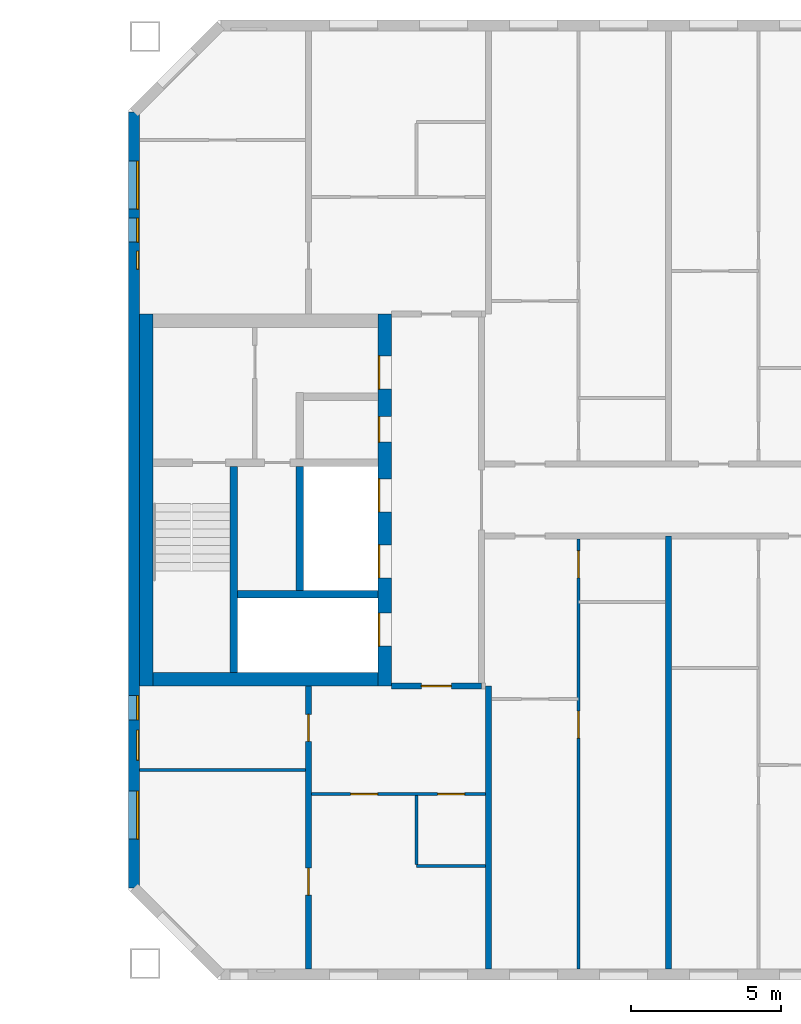
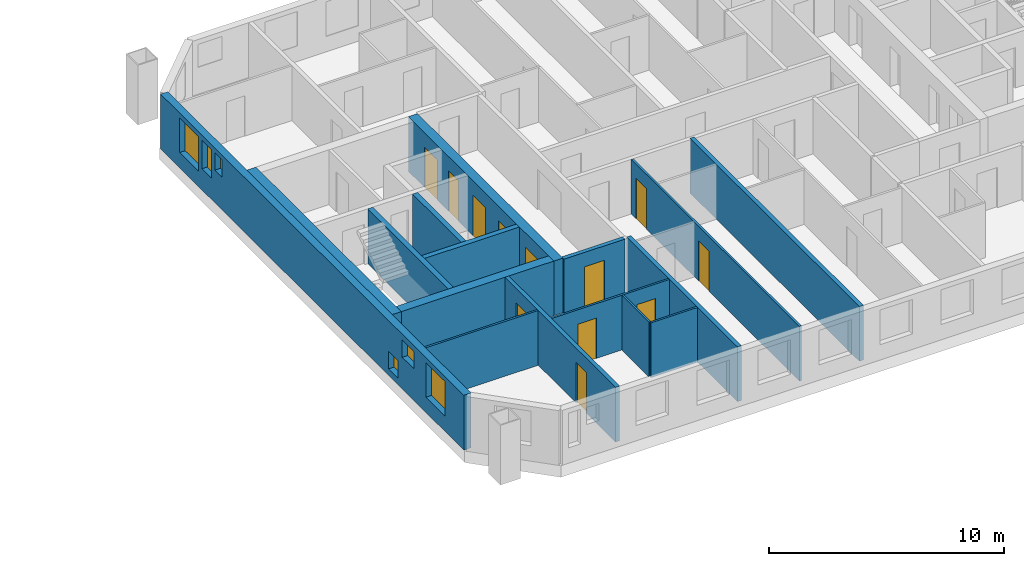
# One storey, part 9 of 16: 16 walls, 12 doors, 6 windows, 18 openings.
"""IFC4 building model written with IfcOpenShell, lengths in metres."""

from ifc_helpers import new_model, si_unit, direction, frame, frame_2d, origin, place, context, subcontext, project, spatial, rectangle, extrude, material, layer, layer_set, type_object, element, fill, save


model = new_model("IFC4")

# Units and contexts
model_context = context("Model", 3, precision=1e-05, world=origin(), true_north=direction((0.0, 1.0)))
body_context = subcontext(model_context, "Body", "Model", "MODEL_VIEW")
ifc_project = project(units=[si_unit("LENGTHUNIT", "METRE"), si_unit("AREAUNIT", "SQUARE_METRE"), si_unit("VOLUMEUNIT", "CUBIC_METRE"), si_unit("PLANEANGLEUNIT", "RADIAN"), si_unit("MASSUNIT", "GRAM", prefix="KILO")], contexts=[model_context])

# Site, building, storey
site_placement = place(None, origin())
site = spatial("IfcSite", under=ifc_project, at=site_placement, CompositionType="ELEMENT")
building_placement = place(site_placement, origin())
building = spatial("IfcBuilding", under=site, at=building_placement, Name="Tuart Gate Housing", CompositionType="ELEMENT")
storey_placement = place(building_placement, frame((0.0, 0.0, 175.800048828125)))
storey = spatial("IfcBuildingStorey", under=building, at=storey_placement, Name="L49", CompositionType="ELEMENT", Elevation=175.800048828125)

# Wall, openings, windows
ifc_material_1 = material(Name="Brick", Category="masonry")
ifc_layer_1 = layer(ifc_material_1, 0.360107421875)
ifc_layer_set_1 = layer_set([ifc_layer_1], Name="Brick pier and spandrel wall 360")
wall_type_1 = type_object("IfcWallType", Name="Brick pier and spandrel wall 360", PredefinedType="STANDARD", material=ifc_layer_set_1)
wall_1_placement = place(storey_placement, frame((131.179931640625, 82.92529296875, 0.0), z_axis=(0.0, 0.0, 1.0), x_axis=(0.0, -1.0, 0.0)))
wall_1 = element("IfcWall", 1, at=wall_1_placement, inside=storey, type_object=wall_type_1, Name="External wall B-W L49", PredefinedType="STANDARD", context=body_context, shape_type="SweptSolid", body=[
    extrude(rectangle(XDim=25.850830078125, YDim=0.360107421875, at=frame_2d((12.92529296875, 0.0))), origin(), (0.0, 0.0, 1.0), 2.849853515625),
])
opening_1_placement = place(wall_1_placement, frame((1.62548828125, 0.0, 0.800048828125)))
opening_1 = element("IfcOpeningElement", 2, at=opening_1_placement, cuts=wall_1, Name="Opening W1", PredefinedType="OPENING", context=body_context, shape_type="SweptSolid", body=[
    extrude(rectangle(XDim=1.60009765625, YDim=1.800048828125, at=frame_2d((0.800048828125, 0.89990234375))), frame((0.0, 0.18994140625, 0.0), z_axis=(0.0, -1.0, 0.0), x_axis=(1.0, 0.0, 0.0)), (0.0, 0.0, 1.0), 0.380126953125),
])
opening_2_placement = place(wall_1_placement, frame((3.525390625, 0.0, 1.10009765625)))
opening_2 = element("IfcOpeningElement", 3, at=opening_2_placement, cuts=wall_1, Name="Opening W1J", PredefinedType="OPENING", context=body_context, shape_type="SweptSolid", body=[
    extrude(rectangle(XDim=0.800048828125, YDim=1.5, at=frame_2d((0.39990234375, 0.75))), frame((0.0, 0.18994140625, 0.0), z_axis=(0.0, -1.0, 0.0), x_axis=(1.0, 0.0, 0.0)), (0.0, 0.0, 1.0), 0.380126953125),
])
opening_3_placement = place(wall_1_placement, frame((19.450439453125, 0.0, 0.35009765625)))
opening_3 = element("IfcOpeningElement", 4, at=opening_3_placement, cuts=wall_1, Name="Opening W1V", PredefinedType="OPENING", context=body_context, shape_type="SweptSolid", body=[
    extrude(rectangle(XDim=0.800048828125, YDim=0.89990234375, at=frame_2d((0.39990234375, 0.449951171875))), frame((0.0, 0.18994140625, 0.0), z_axis=(0.0, -1.0, 0.0), x_axis=(1.0, 0.0, 0.0)), (0.0, 0.0, 1.0), 0.380126953125),
])
opening_4_placement = place(wall_1_placement, frame((22.62548828125, 0.0, 0.800048828125)))
opening_4 = element("IfcOpeningElement", 5, at=opening_4_placement, cuts=wall_1, Name="Opening W1", PredefinedType="OPENING", context=body_context, shape_type="SweptSolid", body=[
    extrude(rectangle(XDim=1.60009765625, YDim=1.800048828125, at=frame_2d((0.800048828125, 0.89990234375))), frame((0.0, 0.18994140625, 0.0), z_axis=(0.0, -1.0, 0.0), x_axis=(1.0, 0.0, 0.0)), (0.0, 0.0, 1.0), 0.380126953125),
])
opening_5_placement = place(wall_1_placement, frame((4.62548828125, 0.0, 1.699951171875)))
opening_5 = element("IfcOpeningElement", 6, at=opening_5_placement, cuts=wall_1, Name="Opening W1W", PredefinedType="OPENING", context=body_context, shape_type="SweptSolid", body=[
    extrude(rectangle(XDim=0.60009765625, YDim=0.89990234375, at=frame_2d((0.300048828125, 0.449951171875))), frame((0.0, 0.18994140625, 0.0), z_axis=(0.0, -1.0, 0.0), x_axis=(1.0, 0.0, 0.0)), (0.0, 0.0, 1.0), 0.380126953125),
])
opening_6_placement = place(wall_1_placement, frame((20.600341796875, 0.0, 1.64990234375)))
opening_6 = element("IfcOpeningElement", 7, at=opening_6_placement, cuts=wall_1, Name="Opening W1U", PredefinedType="OPENING", context=body_context, shape_type="SweptSolid", body=[
    extrude(rectangle(XDim=1.0, YDim=0.89990234375, at=frame_2d((0.5, 0.449951171875))), frame((0.0, 0.18994140625, 0.0), z_axis=(0.0, -1.0, 0.0), x_axis=(1.0, 0.0, 0.0)), (0.0, 0.0, 1.0), 0.380126953125),
])
ifc_material_2 = material(Name="Aluminium frame with clear glass", Category="aluminium")
window_type_1 = type_object("IfcWindowType", Name="Punched window 1000 x 900", PartitioningType="SINGLE_PANEL", PredefinedType="WINDOW", material=ifc_material_2)
window_1_placement = place(opening_6_placement, origin())
window_1 = element("IfcWindow", 8, at=window_1_placement, inside=storey, type_object=window_type_1, Name="Window W1U", OverallHeight=0.89990234375, OverallWidth=1.0, PartitioningType="SINGLE_PANEL", PredefinedType="WINDOW", context=body_context, shape_type="SweptSolid", body=[
    extrude(rectangle(XDim=1.0, YDim=0.89990234375, at=frame_2d((0.5, 0.449951171875))), frame((0.0, 0.150146484375, 0.0), z_axis=(0.0, -1.0, 0.0), x_axis=(1.0, 0.0, 0.0)), (0.0, 0.0, 1.0), 0.06005859375),
])
fill(opening_6, window_1)
ifc_material_3 = material(Name="Aluminium frame with clear glass", Category="aluminium")
window_type_2 = type_object("IfcWindowType", Name="Punched window 1600 x 1800", PartitioningType="SINGLE_PANEL", PredefinedType="WINDOW", material=ifc_material_3)
window_2_placement = place(opening_1_placement, origin())
window_2 = element("IfcWindow", 9, at=window_2_placement, inside=storey, type_object=window_type_2, Name="Window W1", OverallHeight=1.800048828125, OverallWidth=1.60009765625, PartitioningType="SINGLE_PANEL", PredefinedType="WINDOW", context=body_context, shape_type="SweptSolid", body=[
    extrude(rectangle(XDim=1.60009765625, YDim=1.800048828125, at=frame_2d((0.800048828125, 0.89990234375))), frame((0.0, 0.150146484375, 0.0), z_axis=(0.0, -1.0, 0.0), x_axis=(1.0, 0.0, 0.0)), (0.0, 0.0, 1.0), 0.06005859375),
])
fill(opening_1, window_2)
window_3_placement = place(opening_4_placement, origin())
window_3 = element("IfcWindow", 10, at=window_3_placement, inside=storey, type_object=window_type_2, Name="Window W1", OverallHeight=1.800048828125, OverallWidth=1.60009765625, PartitioningType="SINGLE_PANEL", PredefinedType="WINDOW", context=body_context, shape_type="SweptSolid", body=[
    extrude(rectangle(XDim=1.60009765625, YDim=1.800048828125, at=frame_2d((0.800048828125, 0.89990234375))), frame((0.0, 0.150146484375, 0.0), z_axis=(0.0, -1.0, 0.0), x_axis=(1.0, 0.0, 0.0)), (0.0, 0.0, 1.0), 0.06005859375),
])
fill(opening_4, window_3)
ifc_material_4 = material(Name="Aluminium frame with clear glass", Category="aluminium")
window_type_3 = type_object("IfcWindowType", Name="Punched window 600 x 900", PartitioningType="SINGLE_PANEL", PredefinedType="WINDOW", material=ifc_material_4)
window_4_placement = place(opening_5_placement, origin())
window_4 = element("IfcWindow", 11, at=window_4_placement, inside=storey, type_object=window_type_3, Name="Window W1W", OverallHeight=0.89990234375, OverallWidth=0.60009765625, PartitioningType="SINGLE_PANEL", PredefinedType="WINDOW", context=body_context, shape_type="SweptSolid", body=[
    extrude(rectangle(XDim=0.60009765625, YDim=0.89990234375, at=frame_2d((0.300048828125, 0.449951171875))), frame((0.0, 0.150146484375, 0.0), z_axis=(0.0, -1.0, 0.0), x_axis=(1.0, 0.0, 0.0)), (0.0, 0.0, 1.0), 0.06005859375),
])
fill(opening_5, window_4)
ifc_material_5 = material(Name="Aluminium frame with clear glass", Category="aluminium")
window_type_4 = type_object("IfcWindowType", Name="Punched window 800 x 1500", PartitioningType="SINGLE_PANEL", PredefinedType="WINDOW", material=ifc_material_5)
window_5_placement = place(opening_2_placement, origin())
window_5 = element("IfcWindow", 12, at=window_5_placement, inside=storey, type_object=window_type_4, Name="Window W1J", OverallHeight=1.5, OverallWidth=0.800048828125, PartitioningType="SINGLE_PANEL", PredefinedType="WINDOW", context=body_context, shape_type="SweptSolid", body=[
    extrude(rectangle(XDim=0.800048828125, YDim=1.5, at=frame_2d((0.39990234375, 0.75))), frame((0.0, 0.150146484375, 0.0), z_axis=(0.0, -1.0, 0.0), x_axis=(1.0, 0.0, 0.0)), (0.0, 0.0, 1.0), 0.06005859375),
])
fill(opening_2, window_5)
ifc_material_6 = material(Name="Aluminium frame with clear glass", Category="aluminium")
window_type_5 = type_object("IfcWindowType", Name="Punched window 800 x 900", PartitioningType="SINGLE_PANEL", PredefinedType="WINDOW", material=ifc_material_6)
window_6_placement = place(opening_3_placement, origin())
window_6 = element("IfcWindow", 13, at=window_6_placement, inside=storey, type_object=window_type_5, Name="Window W1V", OverallHeight=0.89990234375, OverallWidth=0.800048828125, PartitioningType="SINGLE_PANEL", PredefinedType="WINDOW", context=body_context, shape_type="SweptSolid", body=[
    extrude(rectangle(XDim=0.800048828125, YDim=0.89990234375, at=frame_2d((0.39990234375, 0.449951171875))), frame((0.0, 0.150146484375, 0.0), z_axis=(0.0, -1.0, 0.0), x_axis=(1.0, 0.0, 0.0)), (0.0, 0.0, 1.0), 0.06005859375),
])
fill(opening_3, window_6)

# Walls
ifc_material_7 = material(Name="Concrete C40", Category="concrete")
ifc_layer_2 = layer(ifc_material_7, 0.25)
ifc_layer_set_2 = layer_set([ifc_layer_2], Name="Core wall 250 C40")
wall_type_2 = type_object("IfcWallType", Name="Core wall 250 C40", PredefinedType="SHEAR", material=ifc_layer_set_2)
wall_2_placement = place(storey_placement, frame((139.31005859375, 66.85009765625, 0.0), z_axis=(0.0, 0.0, 1.0), x_axis=(-1.0, 0.0, 0.0)))
element("IfcWall", 14, at=wall_2_placement, inside=storey, type_object=wall_type_2, Name="Core wall BG.1", PredefinedType="SHEAR", context=body_context, shape_type="SweptSolid", body=[
    extrude(rectangle(XDim=4.675048828125, YDim=0.25, at=frame_2d((2.33740234375, 0.0))), origin(), (0.0, 0.0, 1.0), 2.849853515625),
])
wall_3_placement = place(storey_placement, frame((136.7099609375, 66.97509765625, 0.0), z_axis=(0.0, 0.0, 1.0), x_axis=(0.0, 1.0, 0.0)))
element("IfcWall", 15, at=wall_3_placement, inside=storey, type_object=wall_type_2, Name="Core wall BG.4", PredefinedType="SHEAR", context=body_context, shape_type="SweptSolid", body=[
    extrude(rectangle(XDim=4.14990234375, YDim=0.25, at=frame_2d((2.074951171875, 0.0))), origin(), (0.0, 0.0, 1.0), 2.849853515625),
])
wall_4_placement = place(storey_placement, frame((134.510009765625, 64.25, 0.0), z_axis=(0.0, 0.0, 1.0), x_axis=(0.0, 1.0, 0.0)))
element("IfcWall", 16, at=wall_4_placement, inside=storey, type_object=wall_type_2, Name="Core wall BG.7", PredefinedType="SHEAR", context=body_context, shape_type="SweptSolid", body=[
    extrude(rectangle(XDim=6.875, YDim=0.25, at=frame_2d((3.4375, 0.0))), origin(), (0.0, 0.0, 1.0), 2.849853515625),
])

# Wall, openings, doors
ifc_material_8 = material(Name="Concrete C40", Category="concrete")
ifc_layer_3 = layer(ifc_material_8, 0.449951171875)
ifc_layer_set_3 = layer_set([ifc_layer_3], Name="Core wall 450 C40")
wall_type_3 = type_object("IfcWallType", Name="Core wall 450 C40", PredefinedType="SHEAR", material=ifc_layer_set_3)
wall_5_placement = place(storey_placement, frame((139.534912109375, 63.800048828125, 0.0), z_axis=(0.0, 0.0, 1.0), x_axis=(0.0, 1.0, 0.0)))
wall_5 = element("IfcWall", 17, at=wall_5_placement, inside=storey, type_object=wall_type_3, Name="Core wall BG front", PredefinedType="SHEAR", context=body_context, shape_type="SweptSolid", body=[
    extrude(rectangle(XDim=12.39990234375, YDim=0.449951171875, at=frame_2d((6.199951171875, 0.0))), origin(), (0.0, 0.0, 1.0), 2.849853515625),
])
opening_7_placement = place(wall_5_placement, frame((1.324951171875, 0.0, 0.0)))
opening_7 = element("IfcOpeningElement", 18, at=opening_7_placement, cuts=wall_5, Name="Opening LD-FB1", PredefinedType="OPENING", context=body_context, shape_type="SweptSolid", body=[
    extrude(rectangle(XDim=1.10009765625, YDim=2.10009765625, at=frame_2d((0.550048828125, 1.050048828125))), frame((0.0, 0.23486328125, 0.0), z_axis=(0.0, -1.0, 0.0), x_axis=(1.0, 0.0, 0.0)), (0.0, 0.0, 1.0), 0.469970703125),
])
opening_8_placement = place(wall_5_placement, frame((3.60009765625, 0.0, 0.0)))
opening_8 = element("IfcOpeningElement", 19, at=opening_8_placement, cuts=wall_5, Name="Opening LD-LB1", PredefinedType="OPENING", context=body_context, shape_type="SweptSolid", body=[
    extrude(rectangle(XDim=1.10009765625, YDim=2.10009765625, at=frame_2d((0.550048828125, 1.050048828125))), frame((0.0, 0.23486328125, 0.0), z_axis=(0.0, -1.0, 0.0), x_axis=(1.0, 0.0, 0.0)), (0.0, 0.0, 1.0), 0.469970703125),
])
opening_9_placement = place(wall_5_placement, frame((5.800048828125, 0.0, 0.0)))
opening_9 = element("IfcOpeningElement", 20, at=opening_9_placement, cuts=wall_5, Name="Opening LD-LB2", PredefinedType="OPENING", context=body_context, shape_type="SweptSolid", body=[
    extrude(rectangle(XDim=1.10009765625, YDim=2.10009765625, at=frame_2d((0.550048828125, 1.050048828125))), frame((0.0, 0.23486328125, 0.0), z_axis=(0.0, -1.0, 0.0), x_axis=(1.0, 0.0, 0.0)), (0.0, 0.0, 1.0), 0.469970703125),
])
opening_10_placement = place(wall_5_placement, frame((9.89990234375, 0.0, 0.0)))
opening_10 = element("IfcOpeningElement", 21, at=opening_10_placement, cuts=wall_5, Name="Opening D1813", PredefinedType="OPENING", context=body_context, shape_type="SweptSolid", body=[
    extrude(rectangle(XDim=1.10009765625, YDim=2.10009765625, at=frame_2d((0.550048828125, 1.050048828125))), frame((0.0, 0.23486328125, 0.0), z_axis=(0.0, -1.0, 0.0), x_axis=(1.0, 0.0, 0.0)), (0.0, 0.0, 1.0), 0.469970703125),
])
opening_11_placement = place(wall_5_placement, frame((8.125, 0.0, 0.0)))
opening_11 = element("IfcOpeningElement", 22, at=opening_11_placement, cuts=wall_5, Name="Opening D1814", PredefinedType="OPENING", context=body_context, shape_type="SweptSolid", body=[
    extrude(rectangle(XDim=0.85009765625, YDim=2.10009765625, at=frame_2d((0.425048828125, 1.050048828125))), frame((0.0, 0.23486328125, 0.0), z_axis=(0.0, -1.0, 0.0), x_axis=(1.0, 0.0, 0.0)), (0.0, 0.0, 1.0), 0.469970703125),
])
ifc_material_9 = material(Name="Stainless steel", Category="steel")
door_type_1 = type_object("IfcDoorType", Name="Landing door 1100 x 2100", OperationType="DOUBLE_DOOR_SLIDING", PredefinedType="DOOR", material=ifc_material_9)
door_1_placement = place(opening_7_placement, origin())
door_1 = element("IfcDoor", 23, at=door_1_placement, inside=storey, type_object=door_type_1, Name="Lift landing door FB1", OperationType="DOUBLE_DOOR_SLIDING", OverallHeight=2.10009765625, OverallWidth=1.10009765625, PredefinedType="DOOR", context=body_context, shape_type="SweptSolid", body=[
    extrude(rectangle(XDim=1.10009765625, YDim=2.10009765625, at=frame_2d((0.550048828125, 1.050048828125))), frame((0.0, 0.2099609375, 0.0), z_axis=(0.0, -1.0, 0.0), x_axis=(1.0, 0.0, 0.0)), (0.0, 0.0, 1.0), 0.050048828125),
])
fill(opening_7, door_1)
door_2_placement = place(opening_8_placement, origin())
door_2 = element("IfcDoor", 24, at=door_2_placement, inside=storey, type_object=door_type_1, Name="Lift landing door LB1", OperationType="DOUBLE_DOOR_SLIDING", OverallHeight=2.10009765625, OverallWidth=1.10009765625, PredefinedType="DOOR", context=body_context, shape_type="SweptSolid", body=[
    extrude(rectangle(XDim=1.10009765625, YDim=2.10009765625, at=frame_2d((0.550048828125, 1.050048828125))), frame((0.0, 0.2099609375, 0.0), z_axis=(0.0, -1.0, 0.0), x_axis=(1.0, 0.0, 0.0)), (0.0, 0.0, 1.0), 0.050048828125),
])
fill(opening_8, door_2)
door_3_placement = place(opening_9_placement, origin())
door_3 = element("IfcDoor", 25, at=door_3_placement, inside=storey, type_object=door_type_1, Name="Lift landing door LB2", OperationType="DOUBLE_DOOR_SLIDING", OverallHeight=2.10009765625, OverallWidth=1.10009765625, PredefinedType="DOOR", context=body_context, shape_type="SweptSolid", body=[
    extrude(rectangle(XDim=1.10009765625, YDim=2.10009765625, at=frame_2d((0.550048828125, 1.050048828125))), frame((0.0, 0.2099609375, 0.0), z_axis=(0.0, -1.0, 0.0), x_axis=(1.0, 0.0, 0.0)), (0.0, 0.0, 1.0), 0.050048828125),
])
fill(opening_9, door_3)
ifc_material_10 = material(Name="Steel fire door", Category="steel")
door_type_2 = type_object("IfcDoorType", Name="Lobby door 1100 x 2100", OperationType="SINGLE_SWING_LEFT", PredefinedType="DOOR", material=ifc_material_10)
door_4_placement = place(opening_10_placement, origin())
door_4 = element("IfcDoor", 26, at=door_4_placement, inside=storey, type_object=door_type_2, Name="Lobby entry door BG.EN", OperationType="SINGLE_SWING_LEFT", OverallHeight=2.10009765625, OverallWidth=1.10009765625, PredefinedType="DOOR", context=body_context, shape_type="SweptSolid", body=[
    extrude(rectangle(XDim=1.10009765625, YDim=2.10009765625, at=frame_2d((0.550048828125, 1.050048828125))), frame((0.0, 0.2099609375, 0.0), z_axis=(0.0, -1.0, 0.0), x_axis=(1.0, 0.0, 0.0)), (0.0, 0.0, 1.0), 0.050048828125),
])
fill(opening_10, door_4)
ifc_material_11 = material(Name="Steel fire door", Category="steel")
door_type_3 = type_object("IfcDoorType", Name="Service door 850 x 2100", OperationType="SINGLE_SWING_LEFT", PredefinedType="DOOR", material=ifc_material_11)
door_5_placement = place(opening_11_placement, origin())
door_5 = element("IfcDoor", 27, at=door_5_placement, inside=storey, type_object=door_type_3, Name="Service room door BG.T1", OperationType="SINGLE_SWING_LEFT", OverallHeight=2.10009765625, OverallWidth=0.85009765625, PredefinedType="DOOR", context=body_context, shape_type="SweptSolid", body=[
    extrude(rectangle(XDim=0.85009765625, YDim=2.10009765625, at=frame_2d((0.425048828125, 1.050048828125))), frame((0.0, 0.2099609375, 0.0), z_axis=(0.0, -1.0, 0.0), x_axis=(1.0, 0.0, 0.0)), (0.0, 0.0, 1.0), 0.050048828125),
])
fill(opening_11, door_5)

# Walls
wall_6_placement = place(storey_placement, frame((131.5849609375, 63.800048828125, 0.0), z_axis=(0.0, 0.0, 1.0), x_axis=(0.0, 1.0, 0.0)))
element("IfcWall", 28, at=wall_6_placement, inside=storey, type_object=wall_type_3, Name="Core wall BG back", PredefinedType="SHEAR", context=body_context, shape_type="SweptSolid", body=[
    extrude(rectangle(XDim=12.39990234375, YDim=0.449951171875, at=frame_2d((6.199951171875, 0.0))), origin(), (0.0, 0.0, 1.0), 2.849853515625),
])
wall_7_placement = place(storey_placement, frame((139.31005859375, 64.02490234375, 0.0), z_axis=(0.0, 0.0, 1.0), x_axis=(-1.0, 0.0, 0.0)))
element("IfcWall", 29, at=wall_7_placement, inside=storey, type_object=wall_type_3, Name="Core wall BG south", PredefinedType="SHEAR", context=body_context, shape_type="SweptSolid", body=[
    extrude(rectangle(XDim=7.5, YDim=0.449951171875, at=frame_2d((3.75, 0.0))), origin(), (0.0, 0.0, 1.0), 2.849853515625),
])

# Wall, opening, door
ifc_material_12 = material(Name="Concrete masonry 15 MPa", Category="masonry")
ifc_layer_4 = layer(ifc_material_12, 0.199951171875)
ifc_layer_set_4 = layer_set([ifc_layer_4], Name="Enclosure wall masonry 200")
wall_type_4 = type_object("IfcWallType", Name="Enclosure wall masonry 200", PredefinedType="PARTITIONING", material=ifc_layer_set_4)
wall_8_placement = place(storey_placement, frame((139.760009765625, 63.800048828125, 0.0), z_axis=(0.0, 0.0, 1.0), x_axis=(1.0, 0.0, 0.0)))
wall_8 = element("IfcWall", 30, at=wall_8_placement, inside=storey, type_object=wall_type_4, Name="Enclosure wall masonry 200", PredefinedType="PARTITIONING", context=body_context, shape_type="SweptSolid", body=[
    extrude(rectangle(XDim=3.0, YDim=0.199951171875, at=frame_2d((1.5, 0.0))), origin(), (0.0, 0.0, 1.0), 2.849853515625),
])
opening_12_placement = place(wall_8_placement, frame((1.0, 0.0, 0.0)))
opening_12 = element("IfcOpeningElement", 31, at=opening_12_placement, cuts=wall_8, Name="Opening D1824", PredefinedType="OPENING", context=body_context, shape_type="SweptSolid", body=[
    extrude(rectangle(XDim=1.0, YDim=2.10009765625, at=frame_2d((0.5, 1.050048828125))), frame((0.0, 0.10986328125, 0.0), z_axis=(0.0, -1.0, 0.0), x_axis=(1.0, 0.0, 0.0)), (0.0, 0.0, 1.0), 0.219970703125),
])
ifc_material_13 = material(Name="Timber door leaf in steel frame", Category="steel")
door_type_4 = type_object("IfcDoorType", Name="Flat entrance door 1000", OperationType="SINGLE_SWING_LEFT", PredefinedType="DOOR", material=ifc_material_13)
door_6_placement = place(opening_12_placement, frame((1.0, 0.0, 0.0), z_axis=(0.0, 0.0, 1.0), x_axis=(-1.0, 0.0, 0.0)))
door_6 = element("IfcDoor", 32, at=door_6_placement, inside=storey, type_object=door_type_4, Name="Flat entrance door", OperationType="SINGLE_SWING_LEFT", OverallHeight=2.10009765625, OverallWidth=1.0, PredefinedType="DOOR", context=body_context, shape_type="SweptSolid", body=[
    extrude(rectangle(XDim=1.0, YDim=2.10009765625, at=frame_2d((0.5, 1.050048828125))), frame((0.0, 0.025146484375, 0.0), z_axis=(0.0, -1.0, 0.0), x_axis=(1.0, 0.0, 0.0)), (0.0, 0.0, 1.0), 0.050048828125),
])
fill(opening_12, door_6)

# Wall
ifc_material_14 = material(Name="Gypsum board on steel studs", Category="steel")
ifc_layer_5 = layer(ifc_material_14, 0.10009765625)
ifc_layer_set_5 = layer_set([ifc_layer_5], Name="Partition 100")
wall_type_5 = type_object("IfcWallType", Name="Partition 100", PredefinedType="PARTITIONING", material=ifc_layer_set_5)
wall_9_placement = place(storey_placement, frame((140.60009765625, 57.800048828125, 0.0), z_axis=(0.0, 0.0, 1.0), x_axis=(1.0, 0.0, 0.0)))
element("IfcWall", 33, at=wall_9_placement, inside=storey, type_object=wall_type_5, Name="Partition 100", PredefinedType="PARTITIONING", context=body_context, shape_type="SweptSolid", body=[
    extrude(rectangle(XDim=2.2998046875, YDim=0.10009765625, at=frame_2d((1.14990234375, 0.0))), origin(), (0.0, 0.0, 1.0), 2.849853515625),
])

# Wall, openings, doors
wall_10_placement = place(storey_placement, frame((137.10009765625, 60.199951171875, 0.0), z_axis=(0.0, 0.0, 1.0), x_axis=(1.0, 0.0, 0.0)))
wall_10 = element("IfcWall", 34, at=wall_10_placement, inside=storey, type_object=wall_type_5, Name="Partition 100", PredefinedType="PARTITIONING", context=body_context, shape_type="SweptSolid", body=[
    extrude(rectangle(XDim=5.7998046875, YDim=0.10009765625, at=frame_2d((2.89990234375, 0.0))), origin(), (0.0, 0.0, 1.0), 2.849853515625),
])
opening_13_placement = place(wall_10_placement, frame((1.300048828125, 0.0, 0.0)))
opening_13 = element("IfcOpeningElement", 35, at=opening_13_placement, cuts=wall_10, Name="Opening D1835", PredefinedType="OPENING", context=body_context, shape_type="SweptSolid", body=[
    extrude(rectangle(XDim=0.89990234375, YDim=2.10009765625, at=frame_2d((0.449951171875, 1.050048828125))), frame((0.0, 0.06005859375, 0.0), z_axis=(0.0, -1.0, 0.0), x_axis=(1.0, 0.0, 0.0)), (0.0, 0.0, 1.0), 0.1201171875),
])
opening_14_placement = place(wall_10_placement, frame((4.199951171875, 0.0, 0.0)))
opening_14 = element("IfcOpeningElement", 36, at=opening_14_placement, cuts=wall_10, Name="Opening D1834", PredefinedType="OPENING", context=body_context, shape_type="SweptSolid", body=[
    extrude(rectangle(XDim=0.89990234375, YDim=2.10009765625, at=frame_2d((0.449951171875, 1.050048828125))), frame((0.0, 0.06005859375, 0.0), z_axis=(0.0, -1.0, 0.0), x_axis=(1.0, 0.0, 0.0)), (0.0, 0.0, 1.0), 0.1201171875),
])
ifc_material_15 = material(Name="Timber door leaf in steel frame", Category="steel")
door_type_5 = type_object("IfcDoorType", Name="Bathroom door 900 RH", OperationType="SINGLE_SWING_RIGHT", PredefinedType="DOOR", material=ifc_material_15)
door_7_placement = place(opening_14_placement, frame((0.89990234375, 0.0, 0.0), z_axis=(0.0, 0.0, 1.0), x_axis=(-1.0, 0.0, 0.0)))
door_7 = element("IfcDoor", 37, at=door_7_placement, inside=storey, type_object=door_type_5, Name="Bathroom door", OperationType="SINGLE_SWING_RIGHT", OverallHeight=2.10009765625, OverallWidth=0.89990234375, PredefinedType="DOOR", context=body_context, shape_type="SweptSolid", body=[
    extrude(rectangle(XDim=0.89990234375, YDim=2.10009765625, at=frame_2d((0.449951171875, 1.050048828125))), frame((0.0, 0.025146484375, 0.0), z_axis=(0.0, -1.0, 0.0), x_axis=(1.0, 0.0, 0.0)), (0.0, 0.0, 1.0), 0.050048828125),
])
fill(opening_14, door_7)
ifc_material_16 = material(Name="Timber door leaf in steel frame", Category="steel")
door_type_6 = type_object("IfcDoorType", Name="Internal door 900", OperationType="SINGLE_SWING_LEFT", PredefinedType="DOOR", material=ifc_material_16)
door_8_placement = place(opening_13_placement, origin())
door_8 = element("IfcDoor", 38, at=door_8_placement, inside=storey, type_object=door_type_6, Name="Internal door", OperationType="SINGLE_SWING_LEFT", OverallHeight=2.10009765625, OverallWidth=0.89990234375, PredefinedType="DOOR", context=body_context, shape_type="SweptSolid", body=[
    extrude(rectangle(XDim=0.89990234375, YDim=2.10009765625, at=frame_2d((0.449951171875, 1.050048828125))), frame((0.0, 0.02490234375, 0.0), z_axis=(0.0, -1.0, 0.0), x_axis=(1.0, 0.0, 0.0)), (0.0, 0.0, 1.0), 0.050048828125),
])
fill(opening_13, door_8)

# Walls
wall_11_placement = place(storey_placement, frame((131.360107421875, 61.0, 0.0), z_axis=(0.0, 0.0, 1.0), x_axis=(1.0, 0.0, 0.0)))
element("IfcWall", 39, at=wall_11_placement, inside=storey, type_object=wall_type_5, Name="Partition 100", PredefinedType="PARTITIONING", context=body_context, shape_type="SweptSolid", body=[
    extrude(rectangle(XDim=5.539794921875, YDim=0.10009765625, at=frame_2d((2.77001953125, 0.0))), origin(), (0.0, 0.0, 1.0), 2.849853515625),
])
wall_12_placement = place(storey_placement, frame((140.60009765625, 57.85009765625, 0.0), z_axis=(0.0, 0.0, 1.0), x_axis=(0.0, 1.0, 0.0)))
element("IfcWall", 40, at=wall_12_placement, inside=storey, type_object=wall_type_5, Name="Partition 100", PredefinedType="PARTITIONING", context=body_context, shape_type="SweptSolid", body=[
    extrude(rectangle(XDim=2.2998046875, YDim=0.10009765625, at=frame_2d((1.14990234375, 0.0))), origin(), (0.0, 0.0, 1.0), 2.849853515625),
])

# Wall, openings, doors
wall_13_placement = place(storey_placement, frame((146.0, 54.360107421875, 0.0), z_axis=(0.0, 0.0, 1.0), x_axis=(0.0, 1.0, 0.0)))
wall_13 = element("IfcWall", 41, at=wall_13_placement, inside=storey, type_object=wall_type_5, Name="Partition 100", PredefinedType="PARTITIONING", context=body_context, shape_type="SweptSolid", body=[
    extrude(rectangle(XDim=14.33984375, YDim=0.10009765625, at=frame_2d((7.169921875, 0.0))), origin(), (0.0, 0.0, 1.0), 2.849853515625),
])
opening_15_placement = place(wall_13_placement, frame((7.699951171875, 0.0, 0.0)))
opening_15 = element("IfcOpeningElement", 42, at=opening_15_placement, cuts=wall_13, Name="Opening D1828", PredefinedType="OPENING", context=body_context, shape_type="SweptSolid", body=[
    extrude(rectangle(XDim=0.89990234375, YDim=2.10009765625, at=frame_2d((0.449951171875, 1.050048828125))), frame((0.0, 0.06005859375, 0.0), z_axis=(0.0, -1.0, 0.0), x_axis=(1.0, 0.0, 0.0)), (0.0, 0.0, 1.0), 0.1201171875),
])
opening_16_placement = place(wall_13_placement, frame((13.0400390625, 0.0, 0.0)))
opening_16 = element("IfcOpeningElement", 43, at=opening_16_placement, cuts=wall_13, Name="Opening D1827", PredefinedType="OPENING", context=body_context, shape_type="SweptSolid", body=[
    extrude(rectangle(XDim=0.89990234375, YDim=2.10009765625, at=frame_2d((0.449951171875, 1.050048828125))), frame((0.0, 0.06005859375, 0.0), z_axis=(0.0, -1.0, 0.0), x_axis=(1.0, 0.0, 0.0)), (0.0, 0.0, 1.0), 0.1201171875),
])
ifc_material_17 = material(Name="Timber door leaf in steel frame", Category="steel")
door_type_7 = type_object("IfcDoorType", Name="Bathroom door 900", OperationType="SINGLE_SWING_LEFT", PredefinedType="DOOR", material=ifc_material_17)
door_9_placement = place(opening_16_placement, frame((0.89990234375, 0.0, 0.0), z_axis=(0.0, 0.0, 1.0), x_axis=(-1.0, 0.0, 0.0)))
door_9 = element("IfcDoor", 44, at=door_9_placement, inside=storey, type_object=door_type_7, Name="Bathroom door", OperationType="SINGLE_SWING_LEFT", OverallHeight=2.10009765625, OverallWidth=0.89990234375, PredefinedType="DOOR", context=body_context, shape_type="SweptSolid", body=[
    extrude(rectangle(XDim=0.89990234375, YDim=2.10009765625, at=frame_2d((0.449951171875, 1.050048828125))), frame((0.0, 0.025146484375, 0.0), z_axis=(0.0, -1.0, 0.0), x_axis=(1.0, 0.0, 0.0)), (0.0, 0.0, 1.0), 0.050048828125),
])
fill(opening_16, door_9)
door_10_placement = place(opening_15_placement, frame((0.89990234375, 0.0, 0.0), z_axis=(0.0, 0.0, 1.0), x_axis=(-1.0, 0.0, 0.0)))
door_10 = element("IfcDoor", 45, at=door_10_placement, inside=storey, type_object=door_type_6, Name="Internal door", OperationType="SINGLE_SWING_LEFT", OverallHeight=2.10009765625, OverallWidth=0.89990234375, PredefinedType="DOOR", context=body_context, shape_type="SweptSolid", body=[
    extrude(rectangle(XDim=0.89990234375, YDim=2.10009765625, at=frame_2d((0.449951171875, 1.050048828125))), frame((0.0, 0.025146484375, 0.0), z_axis=(0.0, -1.0, 0.0), x_axis=(1.0, 0.0, 0.0)), (0.0, 0.0, 1.0), 0.050048828125),
])
fill(opening_15, door_10)

ifc_material_18 = material(Name="Concrete C40", Category="concrete")
ifc_layer_6 = layer(ifc_material_18, 0.199951171875)
ifc_layer_set_6 = layer_set([ifc_layer_6], Name="Party wall concrete C40 200")
wall_type_6 = type_object("IfcWallType", Name="Party wall concrete C40 200", PredefinedType="SOLIDWALL", material=ifc_layer_set_6)
wall_14_placement = place(storey_placement, frame((137.0, 54.360107421875, 0.0), z_axis=(0.0, 0.0, 1.0), x_axis=(0.0, 1.0, 0.0)))
wall_14 = element("IfcWall", 46, at=wall_14_placement, inside=storey, type_object=wall_type_6, Name="Party wall concrete C40 200", PredefinedType="SOLIDWALL", context=body_context, shape_type="SweptSolid", body=[
    extrude(rectangle(XDim=9.43994140625, YDim=0.199951171875, at=frame_2d((4.719970703125, 0.0))), origin(), (0.0, 0.0, 1.0), 2.849853515625),
])
opening_17_placement = place(wall_14_placement, frame((2.469970703125, 0.0, 0.0)))
opening_17 = element("IfcOpeningElement", 47, at=opening_17_placement, cuts=wall_14, Name="Opening D1838", PredefinedType="OPENING", context=body_context, shape_type="SweptSolid", body=[
    extrude(rectangle(XDim=0.89990234375, YDim=2.10009765625, at=frame_2d((0.449951171875, 1.050048828125))), frame((0.0, 0.10986328125, 0.0), z_axis=(0.0, -1.0, 0.0), x_axis=(1.0, 0.0, 0.0)), (0.0, 0.0, 1.0), 0.219970703125),
])
opening_18_placement = place(wall_14_placement, frame((7.590087890625, 0.0, 0.0)))
opening_18 = element("IfcOpeningElement", 48, at=opening_18_placement, cuts=wall_14, Name="Opening D1839", PredefinedType="OPENING", context=body_context, shape_type="SweptSolid", body=[
    extrude(rectangle(XDim=0.89990234375, YDim=2.10009765625, at=frame_2d((0.449951171875, 1.050048828125))), frame((0.0, 0.10986328125, 0.0), z_axis=(0.0, -1.0, 0.0), x_axis=(1.0, 0.0, 0.0)), (0.0, 0.0, 1.0), 0.219970703125),
])
door_11_placement = place(opening_17_placement, origin())
door_11 = element("IfcDoor", 49, at=door_11_placement, inside=storey, type_object=door_type_6, Name="Internal door", OperationType="SINGLE_SWING_LEFT", OverallHeight=2.10009765625, OverallWidth=0.89990234375, PredefinedType="DOOR", context=body_context, shape_type="SweptSolid", body=[
    extrude(rectangle(XDim=0.89990234375, YDim=2.10009765625, at=frame_2d((0.449951171875, 1.050048828125))), frame((0.0, 0.02490234375, 0.0), z_axis=(0.0, -1.0, 0.0), x_axis=(1.0, 0.0, 0.0)), (0.0, 0.0, 1.0), 0.050048828125),
])
fill(opening_17, door_11)
door_12_placement = place(opening_18_placement, origin())
door_12 = element("IfcDoor", 50, at=door_12_placement, inside=storey, type_object=door_type_6, Name="Internal door", OperationType="SINGLE_SWING_LEFT", OverallHeight=2.10009765625, OverallWidth=0.89990234375, PredefinedType="DOOR", context=body_context, shape_type="SweptSolid", body=[
    extrude(rectangle(XDim=0.89990234375, YDim=2.10009765625, at=frame_2d((0.449951171875, 1.050048828125))), frame((0.0, 0.02490234375, 0.0), z_axis=(0.0, -1.0, 0.0), x_axis=(1.0, 0.0, 0.0)), (0.0, 0.0, 1.0), 0.050048828125),
])
fill(opening_18, door_12)

# Walls
wall_15_placement = place(storey_placement, frame((143.0, 54.360107421875, 0.0), z_axis=(0.0, 0.0, 1.0), x_axis=(0.0, 1.0, 0.0)))
element("IfcWall", 51, at=wall_15_placement, inside=storey, type_object=wall_type_6, Name="Party wall concrete C40 200", PredefinedType="SOLIDWALL", context=body_context, shape_type="SweptSolid", body=[
    extrude(rectangle(XDim=9.43994140625, YDim=0.199951171875, at=frame_2d((4.719970703125, 0.0))), origin(), (0.0, 0.0, 1.0), 2.849853515625),
])
wall_16_placement = place(storey_placement, frame((149.0, 54.360107421875, 0.0), z_axis=(0.0, 0.0, 1.0), x_axis=(0.0, 1.0, 0.0)))
element("IfcWall", 52, at=wall_16_placement, inside=storey, type_object=wall_type_6, Name="Party wall concrete C40 200", PredefinedType="SOLIDWALL", context=body_context, shape_type="SweptSolid", body=[
    extrude(rectangle(XDim=14.43994140625, YDim=0.199951171875, at=frame_2d((7.219970703125, 0.0))), origin(), (0.0, 0.0, 1.0), 2.849853515625),
])

save(model, "model.ifc")
